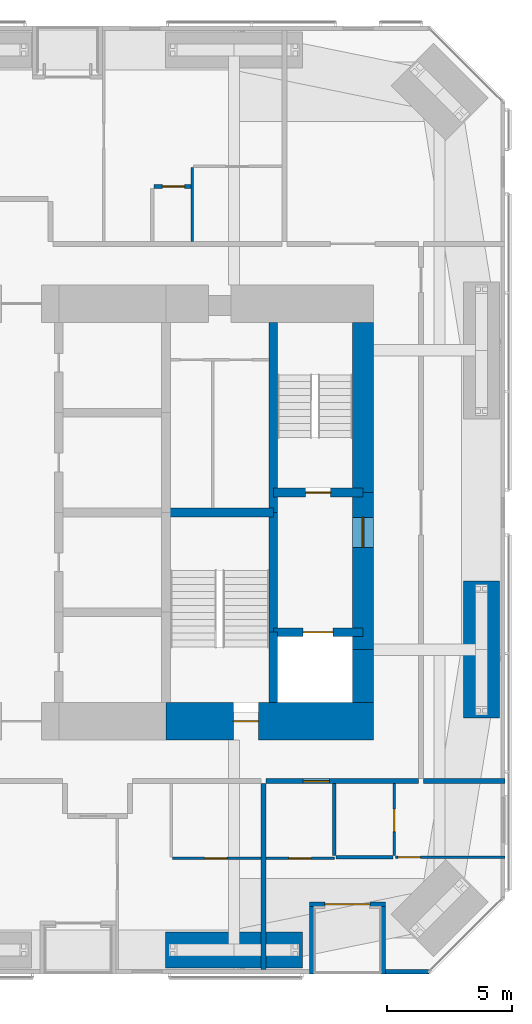
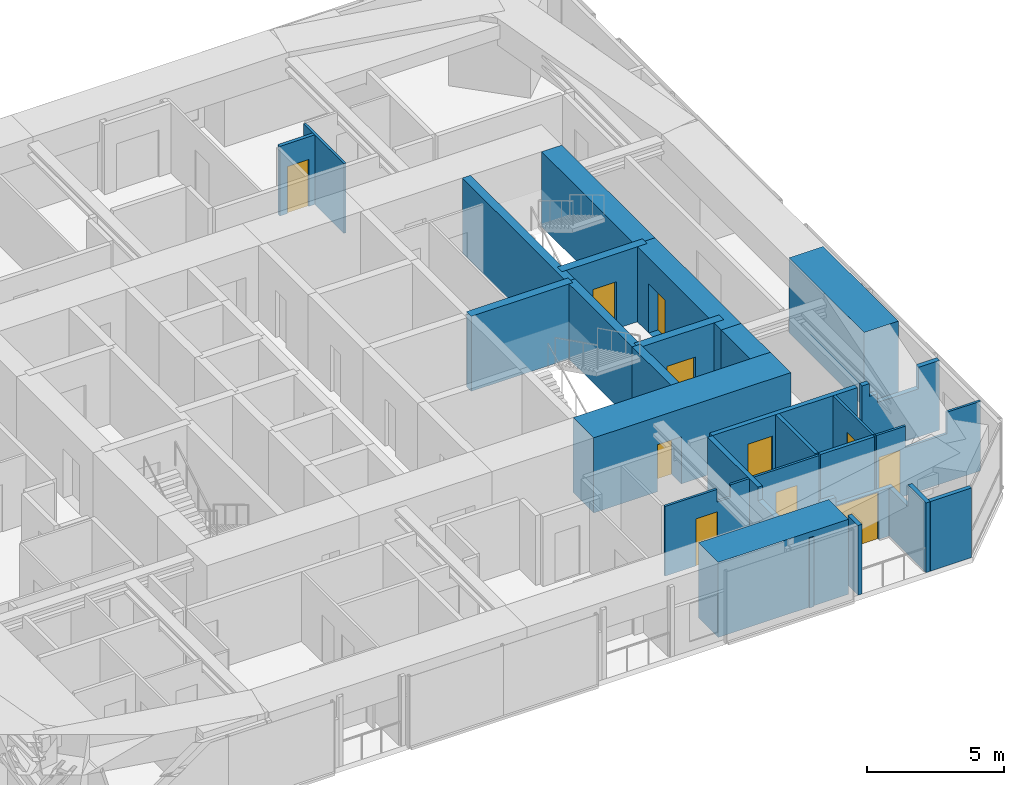
# One storey, part 20 of 23: 28 walls, 11 doors, 11 openings.
"""IFC4 building model written with IfcOpenShell, lengths in metres."""

from ifc_helpers import new_model, si_unit, direction, frame, frame_2d, origin, place, context, subcontext, project, spatial, polyline, rectangle, outline, extrude, material, layer, layer_set, constituent, constituent_set, type_object, element, fill, save


model = new_model("IFC4")

# Units and contexts
model_context = context("Model", 3, precision=1e-05, world=origin(), true_north=direction((0.0, 1.0)))
body_context = subcontext(model_context, "Body", "Model", "MODEL_VIEW")
ifc_project = project(units=[si_unit("LENGTHUNIT", "METRE"), si_unit("AREAUNIT", "SQUARE_METRE"), si_unit("VOLUMEUNIT", "CUBIC_METRE"), si_unit("PLANEANGLEUNIT", "RADIAN"), si_unit("MASSUNIT", "GRAM", prefix="KILO")], contexts=[model_context])

# Site, building, storey
site_placement = place(None, origin())
site = spatial("IfcSite", under=ifc_project, at=site_placement, CompositionType="ELEMENT")
building_placement = place(site_placement, origin())
building = spatial("IfcBuilding", under=site, at=building_placement, Name="Jalousie Tower", CompositionType="ELEMENT")
storey_placement = place(building_placement, frame((0.0, 0.0, 104.85009765625)))
storey = spatial("IfcBuildingStorey", under=building, at=storey_placement, Name="L28", CompositionType="ELEMENT", Elevation=104.85009765625)

# Walls
ifc_material_1 = material(Name="Concrete block ASTM C90", Category="concrete")
ifc_constituent_1 = constituent(ifc_material_1, Name="Body")
ifc_material_2 = material(Name="Render")
ifc_constituent_2 = constituent(ifc_material_2, Name="Finish")
ifc_constituent_set_1 = constituent_set(constituents=[ifc_constituent_1, ifc_constituent_2])
wall_type_1 = type_object("IfcWallType", Name="BATHROOM WALL 150", PredefinedType="PLUMBINGWALL", material=ifc_constituent_set_1)
wall_1_placement = place(storey_placement, frame((42.72509765625, 4.67578125, 0.0), z_axis=(0.0, 0.0, 1.0), x_axis=(1.0, 0.0, 0.0)))
element("IfcWall", 1, at=wall_1_placement, inside=storey, type_object=wall_type_1, Name="Bathroom Wall 150 L28", PredefinedType="PLUMBINGWALL", context=body_context, shape_type="SweptSolid", body=[
    extrude(rectangle(XDim=2.27490234375, YDim=0.14990234375, at=frame_2d((1.137451171875, 0.0))), origin(), (0.0, 0.0, 1.0), 3.10986328125),
])
wall_2_placement = place(storey_placement, frame((42.64990234375, 4.7509765625, 0.0), z_axis=(0.0, 0.0, 1.0), x_axis=(0.0, 1.0, 0.0)))
element("IfcWall", 2, at=wall_2_placement, inside=storey, type_object=wall_type_1, Name="Bathroom Wall 150 L28", PredefinedType="PLUMBINGWALL", context=body_context, shape_type="SweptSolid", body=[
    extrude(rectangle(XDim=2.8740234375, YDim=0.14990234375, at=frame_2d((1.43701171875, 0.0))), origin(), (0.0, 0.0, 1.0), 3.10986328125),
])

# Wall, opening, door
wall_3_placement = place(storey_placement, frame((35.425048828125, 31.574951171875, 0.0), z_axis=(0.0, 0.0, 1.0), x_axis=(1.0, 0.0, 0.0)))
wall_3 = element("IfcWall", 3, at=wall_3_placement, inside=storey, type_object=wall_type_1, Name="Bathroom Wall 150 L28", PredefinedType="PLUMBINGWALL", context=body_context, shape_type="SweptSolid", body=[
    extrude(rectangle(XDim=1.474853515625, YDim=0.14990234375, at=frame_2d((0.7373046875, 0.0))), origin(), (0.0, 0.0, 1.0), 3.10986328125),
])
opening_1_placement = place(wall_3_placement, frame((0.324951171875, 0.0, 0.0)))
opening_1 = element("IfcOpeningElement", 4, at=opening_1_placement, cuts=wall_3, Name="Opening D7", PredefinedType="OPENING", context=body_context, shape_type="SweptSolid", body=[
    extrude(rectangle(XDim=0.89990234375, YDim=2.10009765625, at=frame_2d((0.449951171875, 1.050048828125))), frame((0.0, 0.0849609375, 0.0), z_axis=(0.0, -1.0, 0.0), x_axis=(1.0, 0.0, 0.0)), (0.0, 0.0, 1.0), 0.169921875),
])
ifc_material_3 = material(Name="Timber door", Category="wood")
door_type_1 = type_object("IfcDoorType", Name="INTERNAL DOOR 900", OperationType="SINGLE_SWING_LEFT", PredefinedType="DOOR", material=ifc_material_3)
door_1_placement = place(opening_1_placement, frame((0.89990234375, 0.0, 0.0), z_axis=(0.0, 0.0, 1.0), x_axis=(-1.0, 0.0, 0.0)))
door_1 = element("IfcDoor", 5, at=door_1_placement, inside=storey, type_object=door_type_1, Name="Apartment 2804 guest WC door", OperationType="SINGLE_SWING_LEFT", OverallHeight=2.10009765625, OverallWidth=0.89990234375, PredefinedType="DOOR", context=body_context, shape_type="SweptSolid", body=[
    extrude(rectangle(XDim=0.89990234375, YDim=2.10009765625, at=frame_2d((0.449951171875, 1.050048828125))), frame((0.0, 0.02490234375, 0.0), z_axis=(0.0, -1.0, 0.0), x_axis=(1.0, 0.0, 0.0)), (0.0, 0.0, 1.0), 0.050048828125),
])
fill(opening_1, door_1)

ifc_material_4 = material(Name="Concrete f'c 120 MPa", Category="concrete")
ifc_layer_1 = layer(ifc_material_4, 1.5)
ifc_layer_set_1 = layer_set([ifc_layer_1], Name="Concrete f'c 120 MPa")
wall_type_2 = type_object("IfcWallType", Name="CORE WALL 1500", PredefinedType="SHEAR", material=ifc_layer_set_1)
wall_4_placement = place(storey_placement, frame((35.89990234375, 10.125, 0.0), z_axis=(0.0, 0.0, 1.0), x_axis=(1.0, 0.0, 0.0)))
wall_4 = element("IfcWall", 6, at=wall_4_placement, inside=storey, type_object=wall_type_2, Name="Core wall SD L28", PredefinedType="SHEAR", context=body_context, shape_type="SweptSolid", body=[
    extrude(rectangle(XDim=8.3251953125, YDim=1.5, at=frame_2d((4.16259765625, 0.0))), origin(), (0.0, 0.0, 1.0), 3.349853515625),
])
opening_2_placement = place(wall_4_placement, frame((2.699951171875, 0.0, 0.0)))
opening_2 = element("IfcOpeningElement", 7, at=opening_2_placement, cuts=wall_4, Name="Opening D10", PredefinedType="OPENING", context=body_context, shape_type="SweptSolid", body=[
    extrude(rectangle(XDim=1.0, YDim=2.10009765625, at=frame_2d((0.5, 1.050048828125))), frame((0.0, 0.760009765625, 0.0), z_axis=(0.0, -1.0, 0.0), x_axis=(1.0, 0.0, 0.0)), (0.0, 0.0, 1.0), 1.52001953125),
])
ifc_material_5 = material(Name="Steel fire door", Category="steel")
door_type_2 = type_object("IfcDoorType", Name="STAIR DOOR 1000", OperationType="SINGLE_SWING_LEFT", PredefinedType="DOOR", material=ifc_material_5)
door_2_placement = place(opening_2_placement, origin())
door_2 = element("IfcDoor", 8, at=door_2_placement, inside=storey, type_object=door_type_2, Name="Exit stair C door", OperationType="SINGLE_SWING_RIGHT", OverallHeight=2.10009765625, OverallWidth=1.0, PredefinedType="DOOR", context=body_context, shape_type="SweptSolid", body=[
    extrude(rectangle(XDim=1.0, YDim=2.10009765625, at=frame_2d((0.5, 1.050048828125))), frame((0.0, 0.02490234375, 0.0), z_axis=(0.0, -1.0, 0.0), x_axis=(1.0, 0.0, 0.0)), (0.0, 0.0, 1.0), 0.050048828125),
])
fill(opening_2, door_2)

# Walls
ifc_material_6 = material(Name="Concrete f'c 120 MPa", Category="concrete")
ifc_layer_2 = layer(ifc_material_6, 0.35009765625)
ifc_layer_set_2 = layer_set([ifc_layer_2], Name="Concrete f'c 120 MPa")
wall_type_3 = type_object("IfcWallType", Name="CORE WALL 350", PredefinedType="SHEAR", material=ifc_layer_set_2)
wall_5_placement = place(storey_placement, frame((40.199951171875, 10.875, 0.0), z_axis=(0.0, 0.0, 1.0), x_axis=(0.0, 1.0, 0.0)))
element("IfcWall", 9, at=wall_5_placement, inside=storey, type_object=wall_type_3, Name="Core wall X40.2A L28", PredefinedType="SHEAR", context=body_context, shape_type="SweptSolid", body=[
    extrude(rectangle(XDim=2.824951171875, YDim=0.35009765625, at=frame_2d((1.41259765625, 0.0))), origin(), (0.0, 0.0, 1.0), 3.349853515625),
])
wall_6_placement = place(storey_placement, frame((40.199951171875, 13.699951171875, 0.0), z_axis=(0.0, 0.0, 1.0), x_axis=(0.0, 1.0, 0.0)))
element("IfcWall", 10, at=wall_6_placement, inside=storey, type_object=wall_type_3, Name="Core wall X40.2B L28", PredefinedType="SHEAR", context=body_context, shape_type="SweptSolid", body=[
    extrude(rectangle(XDim=4.800048828125, YDim=0.35009765625, at=frame_2d((2.39990234375, 0.0))), origin(), (0.0, 0.0, 1.0), 3.349853515625),
])
wall_7_placement = place(storey_placement, frame((40.199951171875, 18.5, 0.0), z_axis=(0.0, 0.0, 1.0), x_axis=(0.0, 1.0, 0.0)))
element("IfcWall", 11, at=wall_7_placement, inside=storey, type_object=wall_type_3, Name="Core wall X40.2C L28", PredefinedType="SHEAR", context=body_context, shape_type="SweptSolid", body=[
    extrude(rectangle(XDim=7.625, YDim=0.35009765625, at=frame_2d((3.8125, 0.0))), origin(), (0.0, 0.0, 1.0), 3.349853515625),
])
wall_8_placement = place(storey_placement, frame((35.89990234375, 18.5, 0.0), z_axis=(0.0, 0.0, 1.0), x_axis=(1.0, 0.0, 0.0)))
element("IfcWall", 12, at=wall_8_placement, inside=storey, type_object=wall_type_3, Name="Core wall Y35.9-18.5 L28", PredefinedType="SHEAR", context=body_context, shape_type="SweptSolid", body=[
    extrude(rectangle(XDim=4.300048828125, YDim=0.35009765625, at=frame_2d((2.14990234375, 0.0))), origin(), (0.0, 0.0, 1.0), 3.349853515625),
])

# Wall, opening, door
wall_9_placement = place(storey_placement, frame((40.199951171875, 13.699951171875, 0.0), z_axis=(0.0, 0.0, 1.0), x_axis=(1.0, 0.0, 0.0)))
wall_9 = element("IfcWall", 13, at=wall_9_placement, inside=storey, type_object=wall_type_3, Name="Core wall Y40.2-13.7 L28", PredefinedType="SHEAR", context=body_context, shape_type="SweptSolid", body=[
    extrude(rectangle(XDim=3.60009765625, YDim=0.35009765625, at=frame_2d((1.800048828125, 0.0))), origin(), (0.0, 0.0, 1.0), 3.349853515625),
])
opening_3_placement = place(wall_9_placement, frame((1.199951171875, 0.0, 0.0)))
opening_3 = element("IfcOpeningElement", 14, at=opening_3_placement, cuts=wall_9, Name="Opening LD2", PredefinedType="OPENING", context=body_context, shape_type="SweptSolid", body=[
    extrude(rectangle(XDim=1.199951171875, YDim=2.10009765625, at=frame_2d((0.60009765625, 1.050048828125))), frame((0.0, 0.18505859375, 0.0), z_axis=(0.0, -1.0, 0.0), x_axis=(1.0, 0.0, 0.0)), (0.0, 0.0, 1.0), 0.3701171875),
])
ifc_material_7 = material(Name="Steel lift landing door", Category="steel")
door_type_3 = type_object("IfcDoorType", Name="LIFT LANDING DOOR 1200", OperationType="SLIDING_TO_LEFT", PredefinedType="DOOR", material=ifc_material_7)
door_3_placement = place(opening_3_placement, origin())
door_3 = element("IfcDoor", 15, at=door_3_placement, inside=storey, type_object=door_type_3, Name="Lift F2 landing door", OperationType="SLIDING_TO_LEFT", OverallHeight=2.10009765625, OverallWidth=1.199951171875, PredefinedType="DOOR", context=body_context, shape_type="SweptSolid", body=[
    extrude(rectangle(XDim=1.199951171875, YDim=2.10009765625, at=frame_2d((0.60009765625, 1.050048828125))), frame((0.0, 0.02490234375, 0.0), z_axis=(0.0, -1.0, 0.0), x_axis=(1.0, 0.0, 0.0)), (0.0, 0.0, 1.0), 0.050048828125),
])
fill(opening_3, door_3)

wall_10_placement = place(storey_placement, frame((40.199951171875, 19.300048828125, 0.0), z_axis=(0.0, 0.0, 1.0), x_axis=(1.0, 0.0, 0.0)))
wall_10 = element("IfcWall", 16, at=wall_10_placement, inside=storey, type_object=wall_type_3, Name="Core wall Y40.2-19.3 L28", PredefinedType="SHEAR", context=body_context, shape_type="SweptSolid", body=[
    extrude(rectangle(XDim=3.60009765625, YDim=0.35009765625, at=frame_2d((1.800048828125, 0.0))), origin(), (0.0, 0.0, 1.0), 3.349853515625),
])
opening_4_placement = place(wall_10_placement, frame((1.300048828125, 0.0, 0.0)))
opening_4 = element("IfcOpeningElement", 17, at=opening_4_placement, cuts=wall_10, Name="Opening D10", PredefinedType="OPENING", context=body_context, shape_type="SweptSolid", body=[
    extrude(rectangle(XDim=1.0, YDim=2.10009765625, at=frame_2d((0.5, 1.050048828125))), frame((0.0, 0.18505859375, 0.0), z_axis=(0.0, -1.0, 0.0), x_axis=(1.0, 0.0, 0.0)), (0.0, 0.0, 1.0), 0.3701171875),
])
door_4_placement = place(opening_4_placement, origin())
door_4 = element("IfcDoor", 18, at=door_4_placement, inside=storey, type_object=door_type_2, Name="Exit stair B door", OperationType="SINGLE_SWING_RIGHT", OverallHeight=2.10009765625, OverallWidth=1.0, PredefinedType="DOOR", context=body_context, shape_type="SweptSolid", body=[
    extrude(rectangle(XDim=1.0, YDim=2.10009765625, at=frame_2d((0.5, 1.050048828125))), frame((0.0, 0.02490234375, 0.0), z_axis=(0.0, -1.0, 0.0), x_axis=(1.0, 0.0, 0.0)), (0.0, 0.0, 1.0), 0.050048828125),
])
fill(opening_4, door_4)

# Wall
ifc_material_8 = material(Name="Concrete f'c 120 MPa", Category="concrete")
ifc_layer_3 = layer(ifc_material_8, 0.85009765625)
ifc_layer_set_3 = layer_set([ifc_layer_3], Name="Concrete f'c 120 MPa")
wall_type_4 = type_object("IfcWallType", Name="CORE WALL 850", PredefinedType="SHEAR", material=ifc_layer_set_3)
wall_11_placement = place(storey_placement, frame((43.800048828125, 10.875, 0.0), z_axis=(0.0, 0.0, 1.0), x_axis=(0.0, 1.0, 0.0)))
element("IfcWall", 19, at=wall_11_placement, inside=storey, type_object=wall_type_4, Name="Core wall EA L28", PredefinedType="SHEAR", context=body_context, shape_type="SweptSolid", body=[
    extrude(rectangle(XDim=2.125, YDim=0.85009765625, at=frame_2d((1.0625, 0.0))), origin(), (0.0, 0.0, 1.0), 3.349853515625),
])

# Wall, opening, door
wall_12_placement = place(storey_placement, frame((43.800048828125, 13.0, 0.0), z_axis=(0.0, 0.0, 1.0), x_axis=(0.0, 1.0, 0.0)))
wall_12 = element("IfcWall", 20, at=wall_12_placement, inside=storey, type_object=wall_type_4, Name="Core wall EB L28", PredefinedType="SHEAR", context=body_context, shape_type="SweptSolid", body=[
    extrude(rectangle(XDim=6.300048828125, YDim=0.85009765625, at=frame_2d((3.14990234375, 0.0))), origin(), (0.0, 0.0, 1.0), 3.349853515625),
])
opening_5_placement = place(wall_12_placement, frame((4.10009765625, 0.0, 0.0)))
opening_5 = element("IfcOpeningElement", 21, at=opening_5_placement, cuts=wall_12, Name="Opening D11", PredefinedType="OPENING", context=body_context, shape_type="SweptSolid", body=[
    extrude(rectangle(XDim=1.199951171875, YDim=2.199951171875, at=frame_2d((0.60009765625, 1.10009765625))), frame((0.0, 0.43505859375, 0.0), z_axis=(0.0, -1.0, 0.0), x_axis=(1.0, 0.0, 0.0)), (0.0, 0.0, 1.0), 0.8701171875),
])
ifc_material_9 = material(Name="Steel fire door", Category="steel")
door_type_4 = type_object("IfcDoorType", Name="FIRE DOOR 1200", OperationType="SINGLE_SWING_LEFT", PredefinedType="DOOR", material=ifc_material_9)
door_5_placement = place(opening_5_placement, origin())
door_5 = element("IfcDoor", 22, at=door_5_placement, inside=storey, type_object=door_type_4, Name="Fire-fighting lobby B door", OperationType="SINGLE_SWING_RIGHT", OverallHeight=2.199951171875, OverallWidth=1.199951171875, PredefinedType="DOOR", context=body_context, shape_type="SweptSolid", body=[
    extrude(rectangle(XDim=1.199951171875, YDim=2.199951171875, at=frame_2d((0.60009765625, 1.10009765625))), frame((0.0, 0.02490234375, 0.0), z_axis=(0.0, -1.0, 0.0), x_axis=(1.0, 0.0, 0.0)), (0.0, 0.0, 1.0), 0.050048828125),
])
fill(opening_5, door_5)

# Wall
wall_13_placement = place(storey_placement, frame((43.800048828125, 19.300048828125, 0.0), z_axis=(0.0, 0.0, 1.0), x_axis=(0.0, 1.0, 0.0)))
element("IfcWall", 23, at=wall_13_placement, inside=storey, type_object=wall_type_4, Name="Core wall EC L28", PredefinedType="SHEAR", context=body_context, shape_type="SweptSolid", body=[
    extrude(rectangle(XDim=6.824951171875, YDim=0.85009765625, at=frame_2d((3.41259765625, 0.0))), origin(), (0.0, 0.0, 1.0), 3.349853515625),
])

# Wall, opening, door
ifc_material_10 = material(Name="Concrete block ASTM C90", Category="concrete")
ifc_constituent_3 = constituent(ifc_material_10, Name="Body")
ifc_material_11 = material(Name="Render")
ifc_constituent_4 = constituent(ifc_material_11, Name="Finish")
ifc_constituent_set_2 = constituent_set(constituents=[ifc_constituent_3, ifc_constituent_4])
wall_type_5 = type_object("IfcWallType", Name="CORRIDOR WALL 200", PredefinedType="PARTITIONING", material=ifc_constituent_set_2)
wall_14_placement = place(storey_placement, frame((39.89990234375, 7.72509765625, 0.0), z_axis=(0.0, 0.0, 1.0), x_axis=(1.0, 0.0, 0.0)))
wall_14 = element("IfcWall", 24, at=wall_14_placement, inside=storey, type_object=wall_type_5, Name="Corridor Wall 200 L28", PredefinedType="PARTITIONING", context=body_context, shape_type="SweptSolid", body=[
    extrude(rectangle(XDim=6.125, YDim=0.199951171875, at=frame_2d((3.0625, 0.0))), origin(), (0.0, 0.0, 1.0), 3.10986328125),
])
opening_6_placement = place(wall_14_placement, frame((1.5, 0.0, 0.0)))
opening_6 = element("IfcOpeningElement", 25, at=opening_6_placement, cuts=wall_14, Name="Opening D1", PredefinedType="OPENING", context=body_context, shape_type="SweptSolid", body=[
    extrude(rectangle(XDim=1.050048828125, YDim=2.199951171875, at=frame_2d((0.52490234375, 1.10009765625))), frame((0.0, 0.10986328125, 0.0), z_axis=(0.0, -1.0, 0.0), x_axis=(1.0, 0.0, 0.0)), (0.0, 0.0, 1.0), 0.219970703125),
])
ifc_material_12 = material(Name="Timber fire door", Category="wood")
door_type_5 = type_object("IfcDoorType", Name="APARTMENT ENTRANCE DOOR 1050", OperationType="SINGLE_SWING_LEFT", PredefinedType="DOOR", material=ifc_material_12)
door_6_placement = place(opening_6_placement, frame((1.050048828125, 0.0, 0.0), z_axis=(0.0, 0.0, 1.0), x_axis=(-1.0, 0.0, 0.0)))
door_6 = element("IfcDoor", 26, at=door_6_placement, inside=storey, type_object=door_type_5, Name="Apartment 2803 entrance", OperationType="SINGLE_SWING_LEFT", OverallHeight=2.199951171875, OverallWidth=1.050048828125, PredefinedType="DOOR", context=body_context, shape_type="SweptSolid", body=[
    extrude(rectangle(XDim=1.050048828125, YDim=2.199951171875, at=frame_2d((0.52490234375, 1.10009765625))), frame((0.0, 0.02490234375, 0.0), z_axis=(0.0, -1.0, 0.0), x_axis=(1.0, 0.0, 0.0)), (0.0, 0.0, 1.0), 0.050048828125),
])
fill(opening_6, door_6)

# Walls
ifc_material_13 = material(Name="Concrete f'c 40 MPa", Category="concrete")
ifc_constituent_5 = constituent(ifc_material_13, Name="Body")
ifc_material_14 = material(Name="Render, pastel sea green")
ifc_constituent_6 = constituent(ifc_material_14, Name="Finish")
ifc_constituent_set_3 = constituent_set(constituents=[ifc_constituent_5, ifc_constituent_6])
wall_type_6 = type_object("IfcWallType", Name="EXTERNAL WALL 175 SEA GREEN RENDER", PredefinedType="SOLIDWALL", material=ifc_constituent_set_3)
wall_15_placement = place(storey_placement, frame((44.699951171875, 0.08740234375, 0.0), z_axis=(0.0, 0.0, 1.0), x_axis=(1.0, 0.0, 0.0)))
element("IfcWall", 27, at=wall_15_placement, inside=storey, type_object=wall_type_6, Name="External Wall 175 Sea Green Render L28", PredefinedType="SOLIDWALL", context=body_context, shape_type="SweptSolid", body=[
    extrude(rectangle(XDim=1.748779296875, YDim=0.175048828125, at=frame_2d((0.87451171875, 0.0))), origin(), (0.0, 0.0, 1.0), 3.10986328125),
])
wall_16_placement = place(storey_placement, frame((41.64990234375, 2.78759765625, 0.0), z_axis=(0.0, 0.0, 1.0), x_axis=(1.0, 0.0, 0.0)))
element("IfcWall", 28, at=wall_16_placement, inside=storey, type_object=wall_type_6, Name="External Wall 175 Sea Green Render L28-A", PredefinedType="SOLIDWALL", context=body_context, shape_type="SweptSolid", body=[
    extrude(rectangle(XDim=0.625, YDim=0.175048828125, at=frame_2d((0.3125, 0.0))), origin(), (0.0, 0.0, 1.0), 2.510009765625),
])

# Wall, opening, door
wall_17_placement = place(storey_placement, frame((42.27490234375, 2.78759765625, 0.0), z_axis=(0.0, 0.0, 1.0), x_axis=(1.0, 0.0, 0.0)))
wall_17 = element("IfcWall", 29, at=wall_17_placement, inside=storey, type_object=wall_type_6, Name="External Wall 175 Sea Green Render L28-B", PredefinedType="SOLIDWALL", context=body_context, shape_type="SweptSolid", body=[
    extrude(rectangle(XDim=2.425048828125, YDim=0.175048828125, at=frame_2d((1.21240234375, 0.0))), origin(), (0.0, 0.0, 1.0), 2.14990234375),
])
opening_7_placement = place(wall_17_placement, origin())
opening_7 = element("IfcOpeningElement", 30, at=opening_7_placement, cuts=wall_17, Name="Opening D-BAL21", PredefinedType="OPENING", context=body_context, shape_type="SweptSolid", body=[
    extrude(rectangle(XDim=1.800048828125, YDim=2.10009765625, at=frame_2d((0.89990234375, 1.050048828125))), frame((0.0, 0.097412109375, 0.0), z_axis=(0.0, -1.0, 0.0), x_axis=(1.0, 0.0, 0.0)), (0.0, 0.0, 1.0), 0.195068359375),
])
ifc_material_15 = material(Name="Aluminium frame, impact-rated glazing", Category="aluminium")
door_type_6 = type_object("IfcDoorType", Name="BALCONY DOOR 1800x2100", OperationType="SLIDING_TO_LEFT", PredefinedType="DOOR", material=ifc_material_15)
door_7_placement = place(opening_7_placement, origin())
door_7 = element("IfcDoor", 31, at=door_7_placement, inside=storey, type_object=door_type_6, Name="Apartment 2803 living and dining room loggia door", OperationType="SLIDING_TO_LEFT", OverallHeight=2.10009765625, OverallWidth=1.800048828125, PredefinedType="DOOR", context=body_context, shape_type="SweptSolid", body=[
    extrude(rectangle(XDim=1.800048828125, YDim=2.10009765625, at=frame_2d((0.89990234375, 1.050048828125))), frame((0.0, 0.02490234375, 0.0), z_axis=(0.0, -1.0, 0.0), x_axis=(1.0, 0.0, 0.0)), (0.0, 0.0, 1.0), 0.050048828125),
])
fill(opening_7, door_7)

# Walls
wall_18_placement = place(storey_placement, frame((41.737548828125, 0.0, 0.0), z_axis=(0.0, 0.0, 1.0), x_axis=(0.0, 1.0, 0.0)))
element("IfcWall", 32, at=wall_18_placement, inside=storey, type_object=wall_type_6, Name="External Wall 175 Sea Green Render L28", PredefinedType="SOLIDWALL", context=body_context, shape_type="SweptSolid", body=[
    extrude(outline(polyline([(0.0, 0.0), (2.699951171875, 0.0), (2.699951171875, 2.510009765625), (2.419189453125, 2.510009765625), (2.419189453125, 2.14990234375), (0.75048828125, 2.14990234375), (0.75048828125, 3.10986328125), (0.0, 3.10986328125), (0.0, 0.0)])), frame((0.0, 0.08740234375, 0.0), z_axis=(0.0, -1.0, 0.0), x_axis=(1.0, 0.0, 0.0)), (0.0, 0.0, 1.0), 0.175048828125),
])
wall_19_placement = place(storey_placement, frame((44.612548828125, 0.0, 0.0), z_axis=(0.0, 0.0, 1.0), x_axis=(0.0, 1.0, 0.0)))
element("IfcWall", 33, at=wall_19_placement, inside=storey, type_object=wall_type_6, Name="External Wall 175 Sea Green Render L28", PredefinedType="SOLIDWALL", context=body_context, shape_type="SweptSolid", body=[
    extrude(outline(polyline([(0.0, 0.0), (2.699951171875, 0.0), (2.699951171875, 2.14990234375), (1.3369140625, 2.14990234375), (1.3369140625, 3.10986328125), (0.0, 3.10986328125), (0.0, 0.0)])), frame((0.0, 0.08740234375, 0.0), z_axis=(0.0, -1.0, 0.0), x_axis=(1.0, 0.0, 0.0)), (0.0, 0.0, 1.0), 0.175048828125),
])

# Wall, opening, door
ifc_material_16 = material(Name="Gypsum board", Category="gypsum")
ifc_constituent_7 = constituent(ifc_material_16, Name="Body")
ifc_material_17 = material(Name="Light-gauge steel studs ASTM A653 SS Grade 33", Category="steel")
ifc_constituent_8 = constituent(ifc_material_17, Name="Framing")
ifc_constituent_set_4 = constituent_set(constituents=[ifc_constituent_7, ifc_constituent_8])
wall_type_7 = type_object("IfcWallType", Name="PARTITION 100", PredefinedType="PARTITIONING", material=ifc_constituent_set_4)
wall_20_placement = place(storey_placement, frame((36.14990234375, 4.625, 0.0), z_axis=(0.0, 0.0, 1.0), x_axis=(1.0, 0.0, 0.0)))
wall_20 = element("IfcWall", 34, at=wall_20_placement, inside=storey, type_object=wall_type_7, Name="Partition 100 L28", PredefinedType="PARTITIONING", context=body_context, shape_type="SweptSolid", body=[
    extrude(outline(polyline([(0.0, 0.0), (3.550048828125, 0.0), (3.550048828125, 3.10986328125), (2.762451171875, 3.10986328125), (2.762451171875, 2.541015625), (2.1875, 2.541015625), (2.1875, 3.10986328125), (0.0, 3.10986328125), (0.0, 0.0)])), frame((0.0, 0.050048828125, 0.0), z_axis=(0.0, -1.0, 0.0), x_axis=(1.0, 0.0, 0.0)), (0.0, 0.0, 1.0), 0.10009765625),
])
opening_8_placement = place(wall_20_placement, frame((1.300048828125, 0.0, 0.0)))
opening_8 = element("IfcOpeningElement", 35, at=opening_8_placement, cuts=wall_20, Name="Opening D7", PredefinedType="OPENING", context=body_context, shape_type="SweptSolid", body=[
    extrude(rectangle(XDim=0.89990234375, YDim=2.10009765625, at=frame_2d((0.449951171875, 1.050048828125))), frame((0.0, 0.06005859375, 0.0), z_axis=(0.0, -1.0, 0.0), x_axis=(1.0, 0.0, 0.0)), (0.0, 0.0, 1.0), 0.1201171875),
])
door_8_placement = place(opening_8_placement, frame((0.89990234375, 0.0, 0.0), z_axis=(0.0, 0.0, 1.0), x_axis=(-1.0, 0.0, 0.0)))
door_8 = element("IfcDoor", 36, at=door_8_placement, inside=storey, type_object=door_type_1, Name="Apartment 2802 kitchen door", OperationType="SINGLE_SWING_LEFT", OverallHeight=2.10009765625, OverallWidth=0.89990234375, PredefinedType="DOOR", context=body_context, shape_type="SweptSolid", body=[
    extrude(rectangle(XDim=0.89990234375, YDim=2.10009765625, at=frame_2d((0.449951171875, 1.050048828125))), frame((0.0, 0.02490234375, 0.0), z_axis=(0.0, -1.0, 0.0), x_axis=(1.0, 0.0, 0.0)), (0.0, 0.0, 1.0), 0.050048828125),
])
fill(opening_8, door_8)

wall_21_placement = place(storey_placement, frame((45.050048828125, 4.7509765625, 0.0), z_axis=(0.0, 0.0, 1.0), x_axis=(0.0, 1.0, 0.0)))
wall_21 = element("IfcWall", 37, at=wall_21_placement, inside=storey, type_object=wall_type_7, Name="Partition 100 L28", PredefinedType="PARTITIONING", context=body_context, shape_type="SweptSolid", body=[
    extrude(rectangle(XDim=2.8740234375, YDim=0.10009765625, at=frame_2d((1.43701171875, 0.0))), origin(), (0.0, 0.0, 1.0), 3.10986328125),
])
opening_9_placement = place(wall_21_placement, frame((0.949462890625, 0.0, 0.0)))
opening_9 = element("IfcOpeningElement", 38, at=opening_9_placement, cuts=wall_21, Name="Opening D3", PredefinedType="OPENING", context=body_context, shape_type="SweptSolid", body=[
    extrude(rectangle(XDim=0.89990234375, YDim=2.10009765625, at=frame_2d((0.449951171875, 1.050048828125))), frame((0.0, 0.06005859375, 0.0), z_axis=(0.0, -1.0, 0.0), x_axis=(1.0, 0.0, 0.0)), (0.0, 0.0, 1.0), 0.1201171875),
])
ifc_material_18 = material(Name="Timber door", Category="wood")
door_type_7 = type_object("IfcDoorType", Name="BATHROOM DOOR 900", OperationType="SINGLE_SWING_LEFT", PredefinedType="DOOR", material=ifc_material_18)
door_9_placement = place(opening_9_placement, origin())
door_9 = element("IfcDoor", 39, at=door_9_placement, inside=storey, type_object=door_type_7, Name="Apartment 2803 bedroom 1 bathroom door", OperationType="SINGLE_SWING_LEFT", OverallHeight=2.10009765625, OverallWidth=0.89990234375, PredefinedType="DOOR", context=body_context, shape_type="SweptSolid", body=[
    extrude(rectangle(XDim=0.89990234375, YDim=2.10009765625, at=frame_2d((0.449951171875, 1.050048828125))), frame((0.0, 0.02490234375, 0.0), z_axis=(0.0, -1.0, 0.0), x_axis=(1.0, 0.0, 0.0)), (0.0, 0.0, 1.0), 0.050048828125),
])
fill(opening_9, door_9)

wall_22_placement = place(storey_placement, frame((45.10009765625, 4.67578125, 0.0), z_axis=(0.0, 0.0, 1.0), x_axis=(1.0, 0.0, 0.0)))
wall_22 = element("IfcWall", 40, at=wall_22_placement, inside=storey, type_object=wall_type_7, Name="Partition 100 L28", PredefinedType="PARTITIONING", context=body_context, shape_type="SweptSolid", body=[
    extrude(outline(polyline([(0.0, 0.0), (4.39990234375, 0.0), (4.39990234375, 3.10986328125), (2.971435546875, 3.10986328125), (2.971435546875, 2.14990234375), (1.22900390625, 2.14990234375), (1.22900390625, 3.10986328125), (0.0, 3.10986328125), (0.0, 0.0)])), frame((0.0, 0.050048828125, 0.0), z_axis=(0.0, -1.0, 0.0), x_axis=(1.0, 0.0, 0.0)), (0.0, 0.0, 1.0), 0.10009765625),
])
opening_10_placement = place(wall_22_placement, frame((0.10009765625, 0.0, 0.0)))
opening_10 = element("IfcOpeningElement", 41, at=opening_10_placement, cuts=wall_22, Name="Opening D2", PredefinedType="OPENING", context=body_context, shape_type="SweptSolid", body=[
    extrude(rectangle(XDim=0.89990234375, YDim=2.10009765625, at=frame_2d((0.449951171875, 1.050048828125))), frame((0.0, 0.06005859375, 0.0), z_axis=(0.0, -1.0, 0.0), x_axis=(1.0, 0.0, 0.0)), (0.0, 0.0, 1.0), 0.1201171875),
])
ifc_material_19 = material(Name="Timber door", Category="wood")
door_type_8 = type_object("IfcDoorType", Name="BEDROOM DOOR 900", OperationType="SINGLE_SWING_LEFT", PredefinedType="DOOR", material=ifc_material_19)
door_10_placement = place(opening_10_placement, origin())
door_10 = element("IfcDoor", 42, at=door_10_placement, inside=storey, type_object=door_type_8, Name="Apartment 2803 bedroom 1 door", OperationType="SINGLE_SWING_LEFT", OverallHeight=2.10009765625, OverallWidth=0.89990234375, PredefinedType="DOOR", context=body_context, shape_type="SweptSolid", body=[
    extrude(rectangle(XDim=0.89990234375, YDim=2.10009765625, at=frame_2d((0.449951171875, 1.050048828125))), frame((0.0, 0.02490234375, 0.0), z_axis=(0.0, -1.0, 0.0), x_axis=(1.0, 0.0, 0.0)), (0.0, 0.0, 1.0), 0.050048828125),
])
fill(opening_10, door_10)

wall_23_placement = place(storey_placement, frame((39.89990234375, 4.625, 0.0), z_axis=(0.0, 0.0, 1.0), x_axis=(1.0, 0.0, 0.0)))
wall_23 = element("IfcWall", 43, at=wall_23_placement, inside=storey, type_object=wall_type_7, Name="Partition 100 L28", PredefinedType="PARTITIONING", context=body_context, shape_type="SweptSolid", body=[
    extrude(rectangle(XDim=2.75, YDim=0.10009765625, at=frame_2d((1.375, 0.0))), origin(), (0.0, 0.0, 1.0), 3.10986328125),
])
opening_11_placement = place(wall_23_placement, frame((0.925048828125, 0.0, 0.0)))
opening_11 = element("IfcOpeningElement", 44, at=opening_11_placement, cuts=wall_23, Name="Opening D7", PredefinedType="OPENING", context=body_context, shape_type="SweptSolid", body=[
    extrude(rectangle(XDim=0.89990234375, YDim=2.10009765625, at=frame_2d((0.449951171875, 1.050048828125))), frame((0.0, 0.06005859375, 0.0), z_axis=(0.0, -1.0, 0.0), x_axis=(1.0, 0.0, 0.0)), (0.0, 0.0, 1.0), 0.1201171875),
])
door_11_placement = place(opening_11_placement, frame((0.89990234375, 0.0, 0.0), z_axis=(0.0, 0.0, 1.0), x_axis=(-1.0, 0.0, 0.0)))
door_11 = element("IfcDoor", 45, at=door_11_placement, inside=storey, type_object=door_type_1, Name="Apartment 2803 kitchen door", OperationType="SINGLE_SWING_RIGHT", OverallHeight=2.10009765625, OverallWidth=0.89990234375, PredefinedType="DOOR", context=body_context, shape_type="SweptSolid", body=[
    extrude(rectangle(XDim=0.89990234375, YDim=2.10009765625, at=frame_2d((0.449951171875, 1.050048828125))), frame((0.0, 0.02490234375, 0.0), z_axis=(0.0, -1.0, 0.0), x_axis=(1.0, 0.0, 0.0)), (0.0, 0.0, 1.0), 0.050048828125),
])
fill(opening_11, door_11)

# Walls
wall_24_placement = place(storey_placement, frame((36.949951171875, 32.324951171875, 0.0), z_axis=(0.0, 0.0, 1.0), x_axis=(0.0, -1.0, 0.0)))
element("IfcWall", 46, at=wall_24_placement, inside=storey, type_object=wall_type_7, Name="Partition 100 L28", PredefinedType="PARTITIONING", context=body_context, shape_type="SweptSolid", body=[
    extrude(rectangle(XDim=2.949951171875, YDim=0.10009765625, at=frame_2d((1.47509765625, 0.0))), origin(), (0.0, 0.0, 1.0), 3.10986328125),
])
ifc_material_20 = material(Name="Concrete block ASTM C90", Category="concrete")
ifc_constituent_9 = constituent(ifc_material_20, Name="Body")
ifc_material_21 = material(Name="Render")
ifc_constituent_10 = constituent(ifc_material_21, Name="Finish")
ifc_constituent_set_5 = constituent_set(constituents=[ifc_constituent_9, ifc_constituent_10])
wall_type_8 = type_object("IfcWallType", Name="PARTY WALL 200", PredefinedType="PARTITIONING", material=ifc_constituent_set_5)
wall_25_placement = place(storey_placement, frame((39.800048828125, 0.175048828125, 0.0), z_axis=(0.0, 0.0, 1.0), x_axis=(0.0, 1.0, 0.0)))
element("IfcWall", 47, at=wall_25_placement, inside=storey, type_object=wall_type_8, Name="Party Wall 200 L28", PredefinedType="PARTITIONING", context=body_context, shape_type="SweptSolid", body=[
    extrude(outline(polyline([(0.0859375, 3.10986328125), (0.0, 3.10986328125), (0.0, 0.0), (0.52880859375, 0.0), (0.52880859375, 0.70068359375), (1.021240234375, 0.70068359375), (1.021240234375, 0.0), (7.449951171875, 0.0), (7.449951171875, 3.10986328125), (3.766357421875, 3.10986328125), (3.766357421875, 2.510009765625), (1.943359375, 2.510009765625), (1.943359375, 2.14990234375), (1.021240234375, 2.14990234375), (1.021240234375, 1.44921875), (0.52880859375, 1.44921875), (0.52880859375, 2.14990234375), (0.0859375, 2.14990234375), (0.0859375, 3.10986328125)])), frame((0.0, 0.10009765625, 0.0), z_axis=(0.0, -1.0, 0.0), x_axis=(1.0, 0.0, 0.0)), (0.0, 0.0, 1.0), 0.199951171875),
])
wall_26_placement = place(storey_placement, frame((46.22509765625, 7.72509765625, 0.0), z_axis=(0.0, 0.0, 1.0), x_axis=(1.0, 0.0, 0.0)))
element("IfcWall", 48, at=wall_26_placement, inside=storey, type_object=wall_type_8, Name="Party Wall 200 L28", PredefinedType="PARTITIONING", context=body_context, shape_type="SweptSolid", body=[
    extrude(outline(polyline([(0.0, 0.0), (3.27490234375, 0.0), (3.27490234375, 3.10986328125), (2.3916015625, 3.10986328125), (2.3916015625, 2.14990234375), (0.642822265625, 2.14990234375), (0.642822265625, 2.541015625), (0.30615234375, 2.541015625), (0.30615234375, 3.10986328125), (0.0, 3.10986328125), (0.0, 0.0)])), frame((0.0, 0.10009765625, 0.0), z_axis=(0.0, -1.0, 0.0), x_axis=(1.0, 0.0, 0.0)), (0.0, 0.0, 1.0), 0.199951171875),
])
ifc_material_22 = material(Name="Concrete f'c 120 MPa", Category="concrete")
ifc_layer_4 = layer(ifc_material_22, 1.449951171875)
ifc_layer_set_4 = layer_set([ifc_layer_4], Name="Concrete f'c 120 MPa")
wall_type_9 = type_object("IfcWallType", Name="RC WALL PIER 1450", PredefinedType="SHEAR", material=ifc_layer_set_4)
for number, where, z_axis, x_axis, name in (
    (49, (35.875, 0.949951171875, 0.0), (0.0, 0.0, 1.0), (1.0, 0.0, 0.0), "Wall pier 04 L28"),
    (50, (48.550048828125, 10.25, 0.0), (0.0, 0.0, 1.0), (0.0, 1.0, 0.0), "Wall pier 06 L28"),
):
    element("IfcWall", number, at=place(storey_placement, frame(where, z_axis=z_axis, x_axis=x_axis)), inside=storey, type_object=wall_type_9, Name=name, PredefinedType="SHEAR", context=body_context, shape_type="SweptSolid", body=[
        extrude(rectangle(XDim=5.5, YDim=1.449951171875, at=frame_2d((2.75, 0.0))), origin(), (0.0, 0.0, 1.0), 3.349853515625),
    ])

save(model, "model.ifc")
